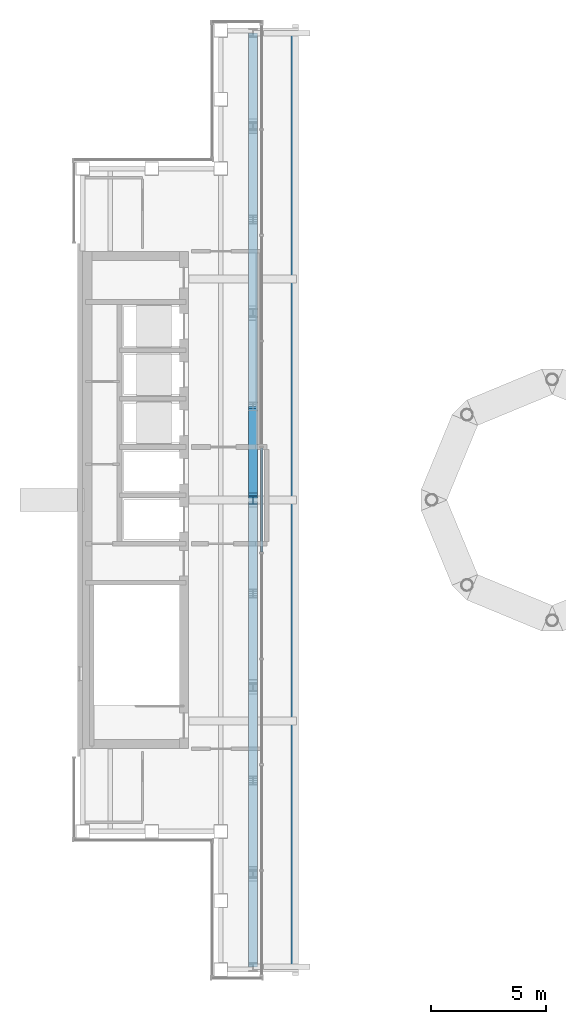
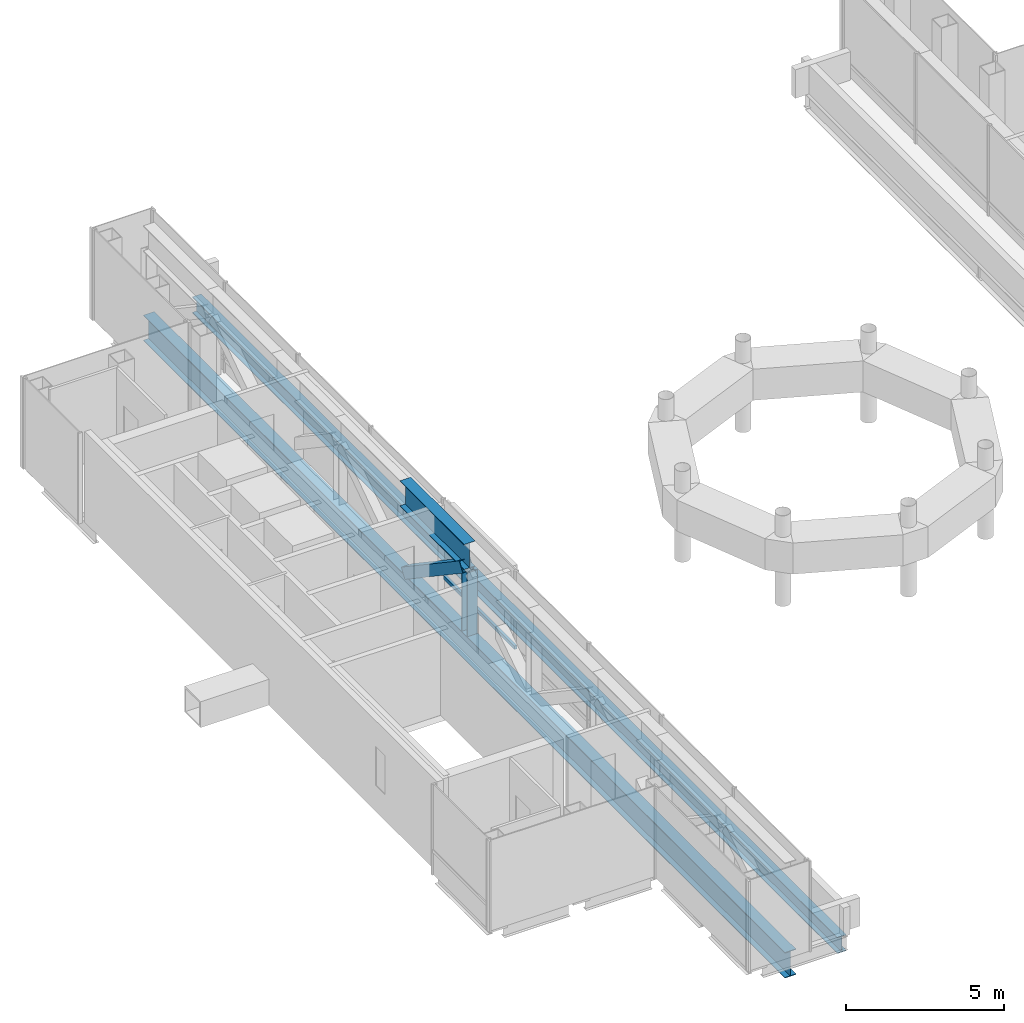
# One storey, part 4 of 16: 5 members, 1 beam, 1 element without a shape of its own.
"""IFC4 building model written with IfcOpenShell, lengths in metres."""

import ifcopenshell
import ifcopenshell.guid

model = None  # the IFC model being written
_history = None  # IfcOwnerHistory: only IFC2X3 demands one
_inside = {}  # id of a spatial element -> (the spatial element, [elements in it])
_under = {}  # id of a project, library or spatial element -> (it, [spatial elements below it])
_declared = {}  # id of a project -> (the project, [libraries it declares])
_typed = {}  # id of a type object -> (the type object, [elements of that type])
_made_of = {}  # id of a material, layer set ... -> (it, [elements and type objects made of it])


def new_model(schema):
    """Start an empty IFC model of exactly this schema.

    Asked for "IFC4X3", IfcOpenShell would pick the latest addendum, in which some entities
    have other attributes; the version numbers below select the first issue.
    IFC2X3 requires an IfcOwnerHistory on every rooted entity: one is made here for all.
    """
    global model, _history
    if schema == "IFC4X3":
        model = ifcopenshell.file(schema_version=(4, 3, 0, 0))
    else:
        model = ifcopenshell.file(schema=schema)
    _inside.clear()
    _under.clear()
    _declared.clear()
    _typed.clear()
    _made_of.clear()
    _history = None
    if model.schema == "IFC2X3":
        org = make("IfcOrganization", Name="unknown")
        user = make(
            "IfcPersonAndOrganization",
            ThePerson=make("IfcPerson", FamilyName="unknown"),
            TheOrganization=org,
        )
        app = make(
            "IfcApplication",
            ApplicationDeveloper=org,
            Version="unknown",
            ApplicationFullName="unknown",
            ApplicationIdentifier="unknown",
        )
        _history = make(
            "IfcOwnerHistory",
            OwningUser=user,
            OwningApplication=app,
            ChangeAction="ADDED",
            CreationDate=0,
        )
    return model


def make(cls, **values):
    """One entity of the class cls with the attributes given. An attribute that is None is left unset."""
    return model.create_entity(
        cls, **{name: value for name, value in values.items() if value is not None}
    )


def rooted(cls, **values):
    """An entity with a GlobalId (a new one), such as an element, a storey or a relation."""
    return make(cls, GlobalId=ifcopenshell.guid.new(), OwnerHistory=_history, **values)


def si_unit(unit_type, name, prefix=None):
    """IfcSIUnit, for example si_unit("LENGTHUNIT", "METRE", prefix="MILLI")."""
    return make("IfcSIUnit", UnitType=unit_type, Prefix=prefix, Name=name)


def assignment(units):
    """IfcUnitAssignment: the units of a project."""
    return None if units is None else make("IfcUnitAssignment", Units=units)


def point(xyz):
    """IfcCartesianPoint."""
    return None if xyz is None else make("IfcCartesianPoint", Coordinates=xyz)


def direction(xyz):
    """IfcDirection."""
    return None if xyz is None else make("IfcDirection", DirectionRatios=xyz)


def frame(location, z_axis=None, x_axis=None):
    """IfcAxis2Placement3D, a coordinate frame: its origin and axes. An axis left out is left unset."""
    return make(
        "IfcAxis2Placement3D",
        Location=point(location),
        Axis=direction(z_axis),
        RefDirection=direction(x_axis),
    )


def frame_2d(location, x_axis=None):
    """IfcAxis2Placement2D, a coordinate frame in the plane: its origin and x axis."""
    return make(
        "IfcAxis2Placement2D", Location=point(location), RefDirection=direction(x_axis)
    )


def origin():
    """The frame at (0, 0, 0) with its axes left unset."""
    return frame((0.0, 0.0, 0.0))


def origin_2d():
    """The frame at (0, 0) in the plane with its x axis left unset."""
    return frame_2d((0.0, 0.0))


def place(relative_to, where):
    """IfcLocalPlacement: puts the frame where relative to a parent placement (None: the world)."""
    return make(
        "IfcLocalPlacement", PlacementRelTo=relative_to, RelativePlacement=where
    )


def context(
    kind, dimensions, precision=None, world=None, true_north=None, identifier=None
):
    """IfcGeometricRepresentationContext, for example the 3D "Model" context."""
    return make(
        "IfcGeometricRepresentationContext",
        ContextIdentifier=identifier,
        ContextType=kind,
        CoordinateSpaceDimension=dimensions,
        Precision=precision,
        WorldCoordinateSystem=world,
        TrueNorth=true_north,
    )


def subcontext(parent, identifier, kind, view, scale=None):
    """IfcGeometricRepresentationSubContext, for example "Body" below "Model"."""
    return make(
        "IfcGeometricRepresentationSubContext",
        ContextIdentifier=identifier,
        ContextType=kind,
        ParentContext=parent,
        TargetScale=scale,
        TargetView=view,
    )


def project(units=None, contexts=None):
    """IfcProject with its units and contexts."""
    return rooted(
        "IfcProject",
        Name="project",
        RepresentationContexts=contexts,
        UnitsInContext=assignment(units),
    )


def spatial(cls, under=None, at=None, **own):
    """A site, building, storey or space (cls), placed at a placement, below another one or the project."""
    s = rooted(cls, ObjectPlacement=at, **own)
    if under is not None:
        _under.setdefault(under.id(), (under, []))[1].append(s)
    return s


def profile(cls, at=None, kind="AREA", **sizes):
    """A parametric profile (cls). Its sizes go by their IFC names, for example OverallWidth=200.0."""
    return make(cls, ProfileType=kind, Position=at, **sizes)


def rectangle(**sizes):
    """IfcRectangleProfileDef."""
    return profile("IfcRectangleProfileDef", **sizes)


def hollow_rectangle(**sizes):
    """IfcRectangleHollowProfileDef."""
    return profile("IfcRectangleHollowProfileDef", **sizes)


def i_section(**sizes):
    """IfcIShapeProfileDef."""
    return profile("IfcIShapeProfileDef", **sizes)


def extrude(swept, where, along, depth):
    """IfcExtrudedAreaSolid: the profile swept, set in the frame where, extruded along a direction by depth."""
    return make(
        "IfcExtrudedAreaSolid",
        SweptArea=swept,
        Position=where,
        ExtrudedDirection=direction(along),
        Depth=depth,
    )


def shape(context_of_items, identifier, shape_type, items):
    """IfcShapeRepresentation: the items that make up one representation, for example the "Body"."""
    return make(
        "IfcShapeRepresentation",
        ContextOfItems=context_of_items,
        RepresentationIdentifier=identifier,
        RepresentationType=shape_type,
        Items=items,
    )


def material(Name=None, Category=None):
    """IfcMaterial."""
    return make("IfcMaterial", Name=Name, Category=Category)


def material_profile(
    of_material, cross_section, Name=None, Category=None, Priority=None
):
    """IfcMaterialProfile: a cross section and its material."""
    return make(
        "IfcMaterialProfile",
        Name=Name,
        Material=of_material,
        Profile=cross_section,
        Priority=Priority,
        Category=Category,
    )


def profile_set(profiles, Name=None, composite=None):
    """IfcMaterialProfileSet."""
    return make(
        "IfcMaterialProfileSet",
        Name=Name,
        MaterialProfiles=profiles,
        CompositeProfile=composite,
    )


def made_of(thing, what):
    """Note that an element or type object is made of a material, layer set ...; save() writes the relation."""
    if what is not None:
        _made_of.setdefault(what.id(), (what, []))[1].append(thing)
    return thing


def type_object(cls, material=None, **own):
    """A type object (cls), such as IfcWallType, which elements share."""
    return made_of(rooted(cls, **own), material)


def element(
    cls,
    number,
    at=None,
    inside=None,
    cuts=None,
    type_object=None,
    material=None,
    context=None,
    identifier="Body",
    shape_type=None,
    held_by="IfcProductDefinitionShape",
    body=None,
    shapes=None,
    **own,
):
    """One element of the class cls, such as IfcWall. Its Tag is "e" and its number.

    at: its placement. inside: the storey or other place that contains it. cuts: it is an
    opening in that element (IfcRelVoidsElement). A single representation is given by context,
    identifier, shape_type and body (its items); several are given by shapes. held_by: the class
    of the entity that holds the representations. save() writes the other relations.
    """
    e = rooted(cls, Tag="e%d" % number, ObjectPlacement=at, **own)
    if body is not None:
        shapes = [shape(context, identifier, shape_type, body)]
    if shapes is not None:
        e.Representation = make(held_by, Representations=shapes)
    if inside is not None:
        _inside.setdefault(inside.id(), (inside, []))[1].append(e)
    if cuts is not None:
        rooted(
            "IfcRelVoidsElement", RelatingBuildingElement=cuts, RelatedOpeningElement=e
        )
    if type_object is not None:
        _typed.setdefault(type_object.id(), (type_object, []))[1].append(e)
    return made_of(e, material)


def aggregate(whole, parts):
    """IfcRelAggregates: a whole, such as a stair, and the parts it consists of."""
    return rooted("IfcRelAggregates", RelatingObject=whole, RelatedObjects=parts)


def save(model, path):
    """Write the relations noted so far, then the file.

    IfcRelAggregates (storeys below a building ...), IfcRelContainedInSpatialStructure (elements
    in a storey), IfcRelDefinesByType, IfcRelAssociatesMaterial and IfcRelDeclares: one each for
    every whole, place, type object, material and project.
    """
    for whole, parts in _under.values():
        aggregate(whole, parts)
    for where, things in _inside.values():
        rooted(
            "IfcRelContainedInSpatialStructure",
            RelatedElements=things,
            RelatingStructure=where,
        )
    for kind, things in _typed.values():
        rooted("IfcRelDefinesByType", RelatedObjects=things, RelatingType=kind)
    for what, things in _made_of.values():
        rooted("IfcRelAssociatesMaterial", RelatedObjects=things, RelatingMaterial=what)
    for by, libraries in _declared.values():
        rooted("IfcRelDeclares", RelatingContext=by, RelatedDefinitions=libraries)
    model.write(path)


model = new_model("IFC4")

# Units and contexts
model_context = context("Model", 3, precision=1e-05, world=origin(), true_north=direction((0.0, 1.0)))
body_context = subcontext(model_context, "Body", "Model", "MODEL_VIEW")
ifc_project = project(units=[si_unit("LENGTHUNIT", "METRE"), si_unit("AREAUNIT", "SQUARE_METRE"), si_unit("VOLUMEUNIT", "CUBIC_METRE"), si_unit("PLANEANGLEUNIT", "RADIAN"), si_unit("MASSUNIT", "GRAM", prefix="KILO")], contexts=[model_context])

# Site, building, storey
site_placement = place(None, origin())
site = spatial("IfcSite", under=ifc_project, at=site_placement, CompositionType="ELEMENT")
building_placement = place(site_placement, origin())
building = spatial("IfcBuilding", under=site, at=building_placement, Name="Cobrizo Arcos Hotel Tower", CompositionType="ELEMENT")
storey_placement = place(building_placement, frame((0.0, 0.0, 286.5)))
storey = spatial("IfcBuildingStorey", under=building, at=storey_placement, Name="L76", CompositionType="ELEMENT", Elevation=286.5)

# Curtain wall, member
ifc_material_1 = material(Name="Aluminium 6063-T6 anodised bronze", Category="aluminium")
curtain_wall_type = type_object("IfcCurtainWallType", Name="CW-C arch infill and crown glazing", PredefinedType="NOTDEFINED", material=ifc_material_1)
curtain_wall_placement = place(storey_placement, origin())
curtain_wall = element("IfcCurtainWall", 1, at=curtain_wall_placement, inside=storey, type_object=curtain_wall_type, Name="CW-C L76 E face", PredefinedType="NOTDEFINED")
ifc_material_profile_1 = material_profile(ifc_material_1, rectangle(XDim=0.10009765625, YDim=0.139892578125, at=origin_2d()), Name="CW-C transom 140x100")
ifc_profile_set_1 = profile_set([ifc_material_profile_1], Name="Aluminium 6063-T6 anodised bronze")
member_type_1 = type_object("IfcMemberType", Name="CW-C transom 140x100", PredefinedType="USERDEFINED", material=ifc_profile_set_1)
member_1_placement = place(storey_placement, frame((-12.625, -2.264892578125, 0.5), z_axis=(0.0, 1.0, 0.0), x_axis=(-1.0, 0.0, 0.0)))
member_1 = element("IfcMember", 2, at=member_1_placement, type_object=member_type_1, Name="CW-C transom 2414", ObjectType="TRANSOM", PredefinedType="USERDEFINED", context=body_context, shape_type="SweptSolid", body=[
    extrude(rectangle(XDim=0.10009765625, YDim=0.139892578125, at=origin_2d()), origin(), (0.0, 0.0, 1.0), 4.52978515625),
])
aggregate(curtain_wall, [member_1])

# Members
ifc_material_2 = material(Name="Steel ASTM A500 Grade C", Category="steel")
ifc_material_profile_2 = material_profile(ifc_material_2, hollow_rectangle(XDim=0.406494140625, YDim=0.406494140625, WallThickness=0.014892578125, at=origin_2d()), Name="HSS16X16X5/8")
ifc_profile_set_2 = profile_set([ifc_material_profile_2], Name="Steel ASTM A500 Grade C")
member_type_2 = type_object("IfcMemberType", Name="HSS16X16X5/8 crown edge truss diagonal", PredefinedType="BRACE", material=ifc_profile_set_2)
member_2_placement = place(storey_placement, frame((-13.0, 0.199951171875, 2.309326171875), z_axis=(0.0, 0.829974292143, -0.557801644299), x_axis=(-1.0, 0.0, 0.0)))
element("IfcMember", 3, at=member_2_placement, inside=storey, type_object=member_type_2, Name="Crown truss diagonal CD1, west side, no. 05", PredefinedType="BRACE", context=body_context, shape_type="SweptSolid", body=[
    extrude(hollow_rectangle(XDim=0.406494140625, YDim=0.406494140625, WallThickness=0.014892578125, at=origin_2d()), origin(), (0.0, 0.0, 1.0), 4.40869140625),
])
ifc_material_3 = material(Name="Steel ASTM A992 Grade 50", Category="steel")
ifc_material_profile_3 = material_profile(ifc_material_3, i_section(OverallWidth=0.373291015625, OverallDepth=0.373291015625, WebThickness=0.016357421875, FlangeThickness=0.026123046875, at=origin_2d()), Name="W14X132")
ifc_profile_set_3 = profile_set([ifc_material_profile_3], Name="Steel ASTM A992 Grade 50")
member_type_3 = type_object("IfcMemberType", Name="W14X132 crown edge truss post", PredefinedType="POST", material=ifc_profile_set_3)
member_3_placement = place(storey_placement, frame((-13.0, 0.0, -0.14990234375), z_axis=(0.0, 0.0, 1.0), x_axis=(1.0, 0.0, 0.0)))
element("IfcMember", 4, at=member_3_placement, inside=storey, type_object=member_type_3, Name="Crown truss post CP1, west side, no. 05", PredefinedType="POST", context=body_context, shape_type="SweptSolid", body=[
    extrude(i_section(OverallWidth=0.373291015625, OverallDepth=0.373291015625, WebThickness=0.016357421875, FlangeThickness=0.026123046875, at=origin_2d()), origin(), (0.0, 0.0, 1.0), 2.459228515625),
])

# Beam
ifc_material_profile_4 = material_profile(ifc_material_3, i_section(OverallWidth=0.32763671875, OverallDepth=0.622314453125, WebThickness=0.015380859375, FlangeThickness=0.0244140625, at=origin_2d()), Name="W24X131")
ifc_profile_set_4 = profile_set([ifc_material_profile_4], Name="Steel ASTM A992 Grade 50")
beam_type = type_object("IfcBeamType", Name="W24X131 edge beam", PredefinedType="BEAM", material=ifc_profile_set_4)
beam_placement = place(storey_placement, frame((-11.189697265625, 20.39990234375, -0.461181640625), z_axis=(0.0, -1.0, 0.0), x_axis=(1.0, 0.0, 0.0)))
element("IfcBeam", 5, at=beam_placement, inside=storey, type_object=beam_type, Name="Edge beam EB1, L76, no. 001", PredefinedType="BEAM", context=body_context, shape_type="SweptSolid", body=[
    extrude(i_section(OverallWidth=0.32763671875, OverallDepth=0.622314453125, WebThickness=0.015380859375, FlangeThickness=0.0244140625, at=origin_2d()), origin(), (0.0, 0.0, 1.0), 40.7998046875),
])

# Members
ifc_material_profile_5 = material_profile(ifc_material_3, i_section(OverallWidth=0.4013671875, OverallDepth=0.990478515625, WebThickness=0.0166015625, FlangeThickness=0.025390625, at=origin_2d()), Name="W40X215")
ifc_profile_set_5 = profile_set([ifc_material_profile_5], Name="Steel ASTM A992 Grade 50")
member_type_4 = type_object("IfcMemberType", Name="W40X215 crown edge truss chord", PredefinedType="CHORD", material=ifc_profile_set_5)
member_4_placement = place(storey_placement, frame((-13.0, -20.29541015625, -0.645263671875), z_axis=(0.0, 1.0, 0.0), x_axis=(-1.0, 0.0, 0.0)))
element("IfcMember", 6, at=member_4_placement, inside=storey, type_object=member_type_4, Name="Crown truss bottom chord CC1, west side", PredefinedType="CHORD", context=body_context, shape_type="SweptSolid", body=[
    extrude(i_section(OverallWidth=0.4013671875, OverallDepth=0.990478515625, WebThickness=0.0166015625, FlangeThickness=0.025390625, at=origin_2d()), origin(), (0.0, 0.0, 1.0), 40.5908203125),
])
member_5_placement = place(storey_placement, frame((-13.0, 0.0, 2.8046875), z_axis=(0.0, 1.0, 0.0), x_axis=(-1.0, 0.0, 0.0)))
element("IfcMember", 7, at=member_5_placement, inside=storey, type_object=member_type_4, Name="Crown truss top chord CC1, west side, no. 05", PredefinedType="CHORD", context=body_context, shape_type="SweptSolid", body=[
    extrude(i_section(OverallWidth=0.4013671875, OverallDepth=0.990478515625, WebThickness=0.0166015625, FlangeThickness=0.025390625, at=origin_2d()), origin(), (0.0, 0.0, 1.0), 4.05908203125),
])

save(model, "model.ifc")
